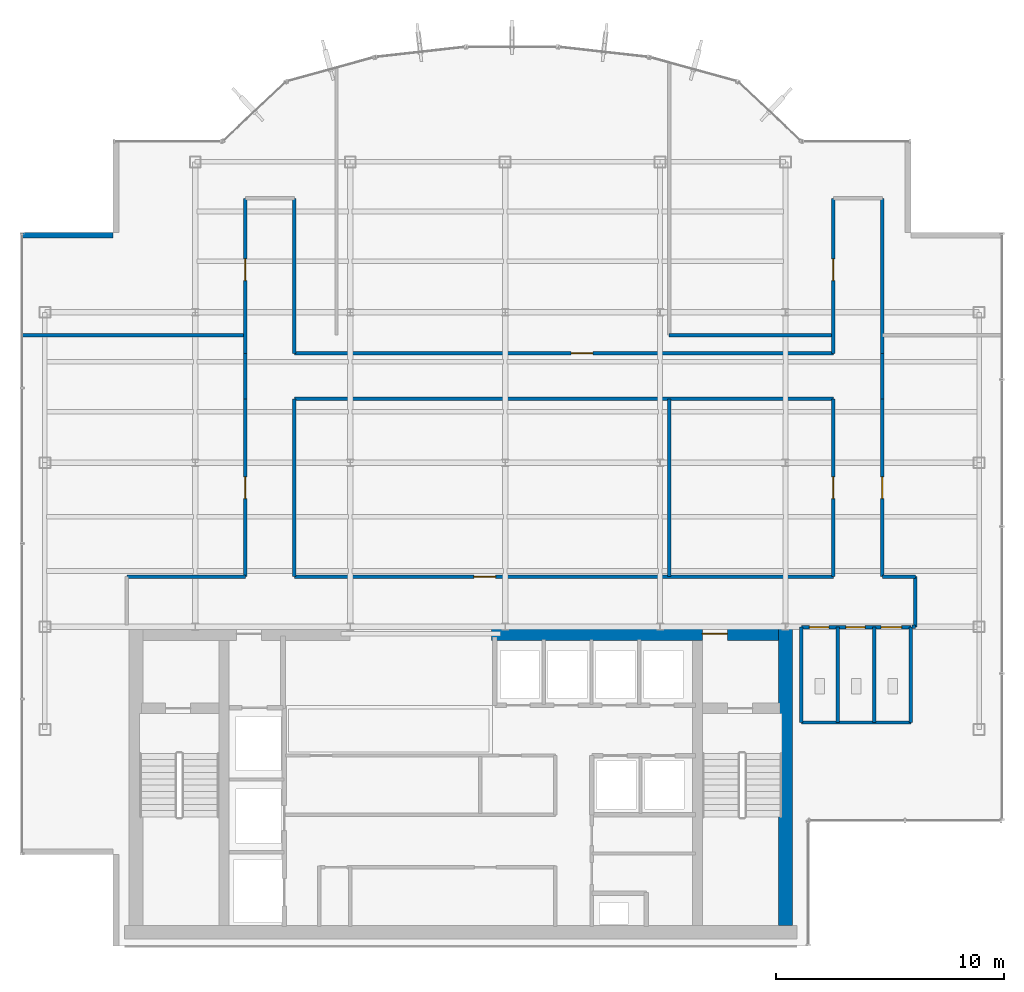
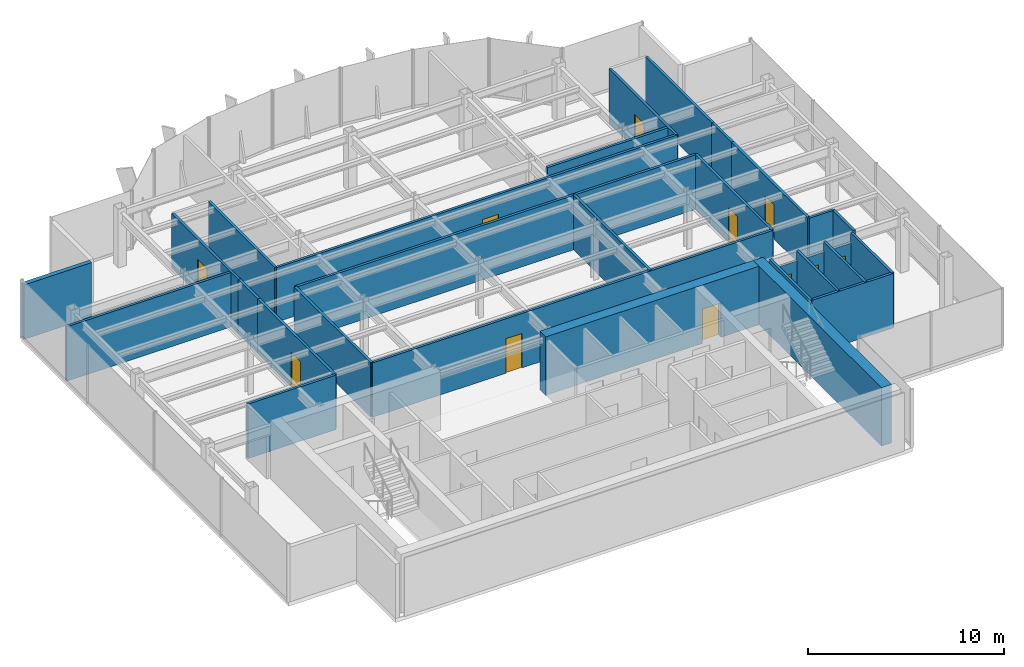
# One storey, part 18 of 22: 29 walls, 11 doors, 11 openings.
"""IFC4 building model written with IfcOpenShell, lengths in metres."""

import ifcopenshell
import ifcopenshell.guid

model = None  # the IFC model being written
_history = None  # IfcOwnerHistory: only IFC2X3 demands one
_inside = {}  # id of a spatial element -> (the spatial element, [elements in it])
_under = {}  # id of a project, library or spatial element -> (it, [spatial elements below it])
_declared = {}  # id of a project -> (the project, [libraries it declares])
_typed = {}  # id of a type object -> (the type object, [elements of that type])
_made_of = {}  # id of a material, layer set ... -> (it, [elements and type objects made of it])


def new_model(schema):
    """Start an empty IFC model of exactly this schema.

    Asked for "IFC4X3", IfcOpenShell would pick the latest addendum, in which some entities
    have other attributes; the version numbers below select the first issue.
    IFC2X3 requires an IfcOwnerHistory on every rooted entity: one is made here for all.
    """
    global model, _history
    if schema == "IFC4X3":
        model = ifcopenshell.file(schema_version=(4, 3, 0, 0))
    else:
        model = ifcopenshell.file(schema=schema)
    _inside.clear()
    _under.clear()
    _declared.clear()
    _typed.clear()
    _made_of.clear()
    _history = None
    if model.schema == "IFC2X3":
        org = make("IfcOrganization", Name="unknown")
        user = make(
            "IfcPersonAndOrganization",
            ThePerson=make("IfcPerson", FamilyName="unknown"),
            TheOrganization=org,
        )
        app = make(
            "IfcApplication",
            ApplicationDeveloper=org,
            Version="unknown",
            ApplicationFullName="unknown",
            ApplicationIdentifier="unknown",
        )
        _history = make(
            "IfcOwnerHistory",
            OwningUser=user,
            OwningApplication=app,
            ChangeAction="ADDED",
            CreationDate=0,
        )
    return model


def make(cls, **values):
    """One entity of the class cls with the attributes given. An attribute that is None is left unset."""
    return model.create_entity(
        cls, **{name: value for name, value in values.items() if value is not None}
    )


def rooted(cls, **values):
    """An entity with a GlobalId (a new one), such as an element, a storey or a relation."""
    return make(cls, GlobalId=ifcopenshell.guid.new(), OwnerHistory=_history, **values)


def si_unit(unit_type, name, prefix=None):
    """IfcSIUnit, for example si_unit("LENGTHUNIT", "METRE", prefix="MILLI")."""
    return make("IfcSIUnit", UnitType=unit_type, Prefix=prefix, Name=name)


def derived_unit(unit_type, elements):
    """IfcDerivedUnit: a product of units, each with its exponent."""
    return make(
        "IfcDerivedUnit",
        Elements=[
            make("IfcDerivedUnitElement", Unit=unit, Exponent=power)
            for unit, power in elements
        ],
        UnitType=unit_type,
    )


def assignment(units):
    """IfcUnitAssignment: the units of a project."""
    return None if units is None else make("IfcUnitAssignment", Units=units)


def point(xyz):
    """IfcCartesianPoint."""
    return None if xyz is None else make("IfcCartesianPoint", Coordinates=xyz)


def direction(xyz):
    """IfcDirection."""
    return None if xyz is None else make("IfcDirection", DirectionRatios=xyz)


def frame(location, z_axis=None, x_axis=None):
    """IfcAxis2Placement3D, a coordinate frame: its origin and axes. An axis left out is left unset."""
    return make(
        "IfcAxis2Placement3D",
        Location=point(location),
        Axis=direction(z_axis),
        RefDirection=direction(x_axis),
    )


def frame_2d(location, x_axis=None):
    """IfcAxis2Placement2D, a coordinate frame in the plane: its origin and x axis."""
    return make(
        "IfcAxis2Placement2D", Location=point(location), RefDirection=direction(x_axis)
    )


def origin():
    """The frame at (0, 0, 0) with its axes left unset."""
    return frame((0.0, 0.0, 0.0))


def place(relative_to, where):
    """IfcLocalPlacement: puts the frame where relative to a parent placement (None: the world)."""
    return make(
        "IfcLocalPlacement", PlacementRelTo=relative_to, RelativePlacement=where
    )


def context(
    kind, dimensions, precision=None, world=None, true_north=None, identifier=None
):
    """IfcGeometricRepresentationContext, for example the 3D "Model" context."""
    return make(
        "IfcGeometricRepresentationContext",
        ContextIdentifier=identifier,
        ContextType=kind,
        CoordinateSpaceDimension=dimensions,
        Precision=precision,
        WorldCoordinateSystem=world,
        TrueNorth=true_north,
    )


def subcontext(parent, identifier, kind, view, scale=None):
    """IfcGeometricRepresentationSubContext, for example "Body" below "Model"."""
    return make(
        "IfcGeometricRepresentationSubContext",
        ContextIdentifier=identifier,
        ContextType=kind,
        ParentContext=parent,
        TargetScale=scale,
        TargetView=view,
    )


def project(units=None, contexts=None):
    """IfcProject with its units and contexts."""
    return rooted(
        "IfcProject",
        Name="project",
        RepresentationContexts=contexts,
        UnitsInContext=assignment(units),
    )


def spatial(cls, under=None, at=None, **own):
    """A site, building, storey or space (cls), placed at a placement, below another one or the project."""
    s = rooted(cls, ObjectPlacement=at, **own)
    if under is not None:
        _under.setdefault(under.id(), (under, []))[1].append(s)
    return s


def profile(cls, at=None, kind="AREA", **sizes):
    """A parametric profile (cls). Its sizes go by their IFC names, for example OverallWidth=200.0."""
    return make(cls, ProfileType=kind, Position=at, **sizes)


def rectangle(**sizes):
    """IfcRectangleProfileDef."""
    return profile("IfcRectangleProfileDef", **sizes)


def extrude(swept, where, along, depth):
    """IfcExtrudedAreaSolid: the profile swept, set in the frame where, extruded along a direction by depth."""
    return make(
        "IfcExtrudedAreaSolid",
        SweptArea=swept,
        Position=where,
        ExtrudedDirection=direction(along),
        Depth=depth,
    )


def shape(context_of_items, identifier, shape_type, items):
    """IfcShapeRepresentation: the items that make up one representation, for example the "Body"."""
    return make(
        "IfcShapeRepresentation",
        ContextOfItems=context_of_items,
        RepresentationIdentifier=identifier,
        RepresentationType=shape_type,
        Items=items,
    )


def source(mapping_origin, context_of_items, identifier, shape_type, items):
    """IfcRepresentationMap: a shape defined once, which mapped items show again and again."""
    return make(
        "IfcRepresentationMap",
        MappingOrigin=mapping_origin,
        MappedRepresentation=shape(context_of_items, identifier, shape_type, items),
    )


def transform(
    local_origin,
    x_axis=None,
    y_axis=None,
    z_axis=None,
    scale=None,
    scale2=None,
    scale3=None,
    uniform=True,
):
    """IfcCartesianTransformationOperator3D, or its non-uniform kind. x_axis, y_axis, z_axis: its Axis1, 2, 3."""
    if uniform:
        return make(
            "IfcCartesianTransformationOperator3D",
            Axis1=direction(x_axis),
            Axis2=direction(y_axis),
            LocalOrigin=point(local_origin),
            Scale=scale,
            Axis3=direction(z_axis),
        )
    return make(
        "IfcCartesianTransformationOperator3DnonUniform",
        Axis1=direction(x_axis),
        Axis2=direction(y_axis),
        LocalOrigin=point(local_origin),
        Scale=scale,
        Axis3=direction(z_axis),
        Scale2=scale2,
        Scale3=scale3,
    )


def mapped(mapping_source, mapping_target):
    """IfcMappedItem: shows the shape of a source again, moved by a transform."""
    return make(
        "IfcMappedItem", MappingSource=mapping_source, MappingTarget=mapping_target
    )


def material(Name=None, Category=None):
    """IfcMaterial."""
    return make("IfcMaterial", Name=Name, Category=Category)


def layer(
    of_material, thickness, ventilated=None, Name=None, Category=None, Priority=None
):
    """IfcMaterialLayer: one layer of a wall or slab, of a material (None: an air gap)."""
    return make(
        "IfcMaterialLayer",
        Material=of_material,
        LayerThickness=thickness,
        IsVentilated=ventilated,
        Name=Name,
        Category=Category,
        Priority=Priority,
    )


def layer_set(layers, Name=None):
    """IfcMaterialLayerSet."""
    return make("IfcMaterialLayerSet", MaterialLayers=layers, LayerSetName=Name)


def made_of(thing, what):
    """Note that an element or type object is made of a material, layer set ...; save() writes the relation."""
    if what is not None:
        _made_of.setdefault(what.id(), (what, []))[1].append(thing)
    return thing


def type_object(cls, material=None, **own):
    """A type object (cls), such as IfcWallType, which elements share."""
    return made_of(rooted(cls, **own), material)


def element(
    cls,
    number,
    at=None,
    inside=None,
    cuts=None,
    type_object=None,
    material=None,
    context=None,
    identifier="Body",
    shape_type=None,
    held_by="IfcProductDefinitionShape",
    body=None,
    shapes=None,
    **own,
):
    """One element of the class cls, such as IfcWall. Its Tag is "e" and its number.

    at: its placement. inside: the storey or other place that contains it. cuts: it is an
    opening in that element (IfcRelVoidsElement). A single representation is given by context,
    identifier, shape_type and body (its items); several are given by shapes. held_by: the class
    of the entity that holds the representations. save() writes the other relations.
    """
    e = rooted(cls, Tag="e%d" % number, ObjectPlacement=at, **own)
    if body is not None:
        shapes = [shape(context, identifier, shape_type, body)]
    if shapes is not None:
        e.Representation = make(held_by, Representations=shapes)
    if inside is not None:
        _inside.setdefault(inside.id(), (inside, []))[1].append(e)
    if cuts is not None:
        rooted(
            "IfcRelVoidsElement", RelatingBuildingElement=cuts, RelatedOpeningElement=e
        )
    if type_object is not None:
        _typed.setdefault(type_object.id(), (type_object, []))[1].append(e)
    return made_of(e, material)


def fill(opening, filler):
    """IfcRelFillsElement: the door or window that sits in an opening."""
    return rooted(
        "IfcRelFillsElement",
        RelatingOpeningElement=opening,
        RelatedBuildingElement=filler,
    )


def aggregate(whole, parts):
    """IfcRelAggregates: a whole, such as a stair, and the parts it consists of."""
    return rooted("IfcRelAggregates", RelatingObject=whole, RelatedObjects=parts)


def save(model, path):
    """Write the relations noted so far, then the file.

    IfcRelAggregates (storeys below a building ...), IfcRelContainedInSpatialStructure (elements
    in a storey), IfcRelDefinesByType, IfcRelAssociatesMaterial and IfcRelDeclares: one each for
    every whole, place, type object, material and project.
    """
    for whole, parts in _under.values():
        aggregate(whole, parts)
    for where, things in _inside.values():
        rooted(
            "IfcRelContainedInSpatialStructure",
            RelatedElements=things,
            RelatingStructure=where,
        )
    for kind, things in _typed.values():
        rooted("IfcRelDefinesByType", RelatedObjects=things, RelatingType=kind)
    for what, things in _made_of.values():
        rooted("IfcRelAssociatesMaterial", RelatedObjects=things, RelatingMaterial=what)
    for by, libraries in _declared.values():
        rooted("IfcRelDeclares", RelatingContext=by, RelatedDefinitions=libraries)
    model.write(path)


model = new_model("IFC4")

# Units and contexts
model_context = context("Model", 3, precision=1e-05, world=origin(), true_north=direction((0.0, 1.0)))
body_context = subcontext(model_context, "Body", "Model", "MODEL_VIEW")
ifc_project = project(units=[si_unit("LENGTHUNIT", "METRE"), si_unit("AREAUNIT", "SQUARE_METRE"), si_unit("VOLUMEUNIT", "CUBIC_METRE"), si_unit("PLANEANGLEUNIT", "RADIAN"), si_unit("MASSUNIT", "GRAM", prefix="KILO"), derived_unit("THERMALTRANSMITTANCEUNIT", [(si_unit("POWERUNIT", "WATT"), 1), (si_unit("LENGTHUNIT", "METRE"), -2), (si_unit("THERMODYNAMICTEMPERATUREUNIT", "KELVIN"), -1)])], contexts=[model_context])

# Site, building, storey
site_placement = place(None, origin())
site = spatial("IfcSite", under=ifc_project, at=site_placement, CompositionType="ELEMENT")
building_placement = place(site_placement, origin())
building = spatial("IfcBuilding", under=site, at=building_placement, Name="Skarnbrae Concourse Arena and Tower", CompositionType="ELEMENT")
storey_placement = place(building_placement, frame((0.0, 0.0, 244.199951171875)))
storey = spatial("IfcBuildingStorey", under=building, at=storey_placement, Name="L63", CompositionType="ELEMENT", Elevation=244.199951171875)

# Wall
ifc_material_1 = material(Name="Concrete 50 MPa (C50/60)", Category="concrete")
ifc_layer_1 = layer(ifc_material_1, 0.60009765625)
ifc_layer_set_1 = layer_set([ifc_layer_1], Name="Concrete 50 MPa (C50/60)")
wall_type_1 = type_object("IfcWallType", Name="WALL-CORE-600-C50", PredefinedType="SHEAR", material=ifc_layer_set_1)
shared_shape_1 = source(origin(), body_context, "Body", "SweptSolid", [
    extrude(rectangle(XDim=13.10009765625, YDim=0.60009765625, at=frame_2d((6.550048828125, 0.0))), origin(), (0.0, 0.0, 1.0), 3.650146484375),
])
wall_1_placement = place(storey_placement, frame((33.5, 0.89990234375, 0.0), z_axis=(0.0, 0.0, 1.0), x_axis=(0.0, 1.0, 0.0)))
element("IfcWall", 1, at=wall_1_placement, inside=storey, type_object=wall_type_1, Name="L63 Rear core shear wall CW-E", PredefinedType="SHEAR", context=body_context, shape_type="MappedRepresentation", body=[
    mapped(shared_shape_1, transform((0.0, 0.0, 0.0))),
])

# Wall, opening, door
shared_shape_2 = source(origin(), body_context, "Body", "SweptSolid", [
    extrude(rectangle(XDim=12.599853515625, YDim=0.60009765625, at=frame_2d((6.2998046875, 0.0))), origin(), (0.0, 0.0, 1.0), 3.650146484375),
])
wall_2_placement = place(storey_placement, frame((20.60009765625, 13.699951171875, 0.0), z_axis=(0.0, 0.0, 1.0), x_axis=(1.0, 0.0, 0.0)))
wall_2 = element("IfcWall", 2, at=wall_2_placement, inside=storey, type_object=wall_type_1, Name="L63 Rear core shear wall CW-NE", PredefinedType="SHEAR", context=body_context, shape_type="MappedRepresentation", body=[
    mapped(shared_shape_2, transform((0.0, 0.0, 0.0))),
])
opening_1_placement = place(wall_2_placement, frame((9.25, 0.0, 0.0)))
opening_1 = element("IfcOpeningElement", 3, at=opening_1_placement, cuts=wall_2, Name="Opening DT-03", PredefinedType="OPENING", context=body_context, shape_type="SweptSolid", body=[
    extrude(rectangle(XDim=1.10009765625, YDim=2.14990234375, at=frame_2d((0.550048828125, 1.074951171875))), frame((0.0, 0.31005859375, 0.0), z_axis=(0.0, -1.0, 0.0), x_axis=(1.0, 0.0, 0.0)), (0.0, 0.0, 1.0), 0.6201171875),
])
ifc_material_2 = material(Name="Steel CSA G40.21 350W", Category="steel")
door_type_1 = type_object("IfcDoorType", Name="DOOR-FIRE-1100-90M", OperationType="NOTDEFINED", PredefinedType="DOOR", material=ifc_material_2)
shared_shape_3 = source(origin(), body_context, "Body", "SweptSolid", [
    extrude(rectangle(XDim=1.10009765625, YDim=2.14990234375, at=frame_2d((0.550048828125, 1.074951171875))), frame((0.0, 0.02490234375, 0.0), z_axis=(0.0, -1.0, 0.0), x_axis=(1.0, 0.0, 0.0)), (0.0, 0.0, 1.0), 0.050048828125),
])
door_1_placement = place(opening_1_placement, origin())
door_1 = element("IfcDoor", 4, at=door_1_placement, inside=storey, type_object=door_type_1, Name="D-1896 Stair ST-2 Vestibule Door", OperationType="SINGLE_SWING_LEFT", OverallHeight=2.14990234375, OverallWidth=1.10009765625, PredefinedType="DOOR", context=body_context, shape_type="MappedRepresentation", body=[
    mapped(shared_shape_3, transform((0.0, 0.0, 0.0))),
])
fill(opening_1, door_1)

# Walls
ifc_material_3 = material(Name="Precast concrete 40 MPa (C40/50)", Category="concrete")
ifc_layer_2 = layer(ifc_material_3, 0.25)
ifc_layer_set_2 = layer_set([ifc_layer_2], Name="Precast concrete 40 MPa (C40/50)")
wall_type_2 = type_object("IfcWallType", Name="WALL-EXT-SPANDREL-250", PredefinedType="STANDARD", material=ifc_layer_set_2)
shared_shape_4 = source(origin(), body_context, "Body", "SweptSolid", [
    extrude(rectangle(XDim=4.0, YDim=0.25, at=frame_2d((2.0, 0.0))), origin(), (0.0, 0.0, 1.0), 3.400146484375),
])
wall_3_placement = place(storey_placement, frame((4.0, 31.175048828125, 0.0), z_axis=(0.0, 0.0, 1.0), x_axis=(-1.0, 0.0, 0.0)))
element("IfcWall", 5, at=wall_3_placement, inside=storey, type_object=wall_type_2, Name="L63 Notched corner insulated return wall 17", PredefinedType="STANDARD", context=body_context, shape_type="MappedRepresentation", body=[
    mapped(shared_shape_4, transform((0.0, 0.0, 0.0))),
])
ifc_material_4 = material(Name="Gypsum board on cold-formed steel studs", Category="steel")
ifc_layer_3 = layer(ifc_material_4, 0.14990234375)
ifc_layer_set_3 = layer_set([ifc_layer_3], Name="Gypsum board on cold-formed steel studs")
wall_type_3 = type_object("IfcWallType", Name="WALL-PART-150", PredefinedType="PARTITIONING", material=ifc_layer_set_3)
shared_shape_5 = source(origin(), body_context, "Body", "SweptSolid", [
    extrude(rectangle(XDim=4.800048828125, YDim=0.14990234375, at=frame_2d((2.39990234375, 0.0))), origin(), (0.0, 0.0, 1.0), 3.400146484375),
])
wall_4_placement = place(storey_placement, frame((34.199951171875, 9.800048828125, 0.0), z_axis=(0.0, 0.0, 1.0), x_axis=(1.0, 0.0, 0.0)))
element("IfcWall", 6, at=wall_4_placement, inside=storey, type_object=wall_type_3, Name="L63 Interior partition wall W-L63-WC-S", PredefinedType="PARTITIONING", context=body_context, shape_type="MappedRepresentation", body=[
    mapped(shared_shape_5, transform((0.0, 0.0, 0.0))),
])
shared_shape_6 = source(origin(), body_context, "Body", "SweptSolid", [
    extrude(rectangle(XDim=4.179931640625, YDim=0.14990234375, at=frame_2d((2.08984375, 0.0))), origin(), (0.0, 0.0, 1.0), 3.400146484375),
])
for number, where, z_axis, x_axis, name in (
    (7, (39.0, 9.800048828125, 0.0), (0.0, 0.0, 1.0), (0.0, 1.0, 0.0), "L63 Interior partition wall W-L63-WC-E"),
    (8, (34.199951171875, 9.800048828125, 0.0), (0.0, 0.0, 1.0), (0.0, 1.0, 0.0), "L63 Interior partition wall W-L63-WC-W"),
    (9, (35.800048828125, 9.800048828125, 0.0), (0.0, 0.0, 1.0), (0.0, 1.0, 0.0), "L63 Interior partition wall W-L63-WC-D1"),
    (10, (37.39990234375, 9.800048828125, 0.0), (0.0, 0.0, 1.0), (0.0, 1.0, 0.0), "L63 Interior partition wall W-L63-WC-D2"),
):
    element("IfcWall", number, at=place(storey_placement, frame(where, z_axis=z_axis, x_axis=x_axis)), inside=storey, type_object=wall_type_3, Name=name, PredefinedType="PARTITIONING", context=body_context, shape_type="MappedRepresentation", body=[
        mapped(shared_shape_6, transform((0.0, 0.0, 0.0))),
    ])
ifc_layer_4 = layer(ifc_material_4, 0.14990234375)
ifc_layer_set_4 = layer_set([ifc_layer_4], Name="Gypsum board on cold-formed steel studs")
wall_type_4 = type_object("IfcWallType", Name="WALL-PART-150-1HR", PredefinedType="PARTITIONING", material=ifc_layer_set_4)
shared_shape_7 = source(origin(), body_context, "Body", "SweptSolid", [
    extrude(rectangle(XDim=2.199951171875, YDim=0.14990234375, at=frame_2d((1.10009765625, 0.0))), origin(), (0.0, 0.0, 1.0), 3.400146484375),
])
wall_5_placement = place(storey_placement, frame((39.199951171875, 16.199951171875, 0.0), z_axis=(0.0, 0.0, 1.0), x_axis=(0.0, -1.0, 0.0)))
element("IfcWall", 11, at=wall_5_placement, inside=storey, type_object=wall_type_4, Name="L63 Interior partition wall W-L63-COR-15", PredefinedType="PARTITIONING", context=body_context, shape_type="MappedRepresentation", body=[
    mapped(shared_shape_7, transform((0.0, 0.0, 0.0))),
])
shared_shape_8 = source(origin(), body_context, "Body", "SweptSolid", [
    extrude(rectangle(XDim=9.780029296875, YDim=0.14990234375, at=frame_2d((4.89013671875, 0.0))), origin(), (0.0, 0.0, 1.0), 3.400146484375),
])
wall_6_placement = place(storey_placement, frame((0.02001953125, 26.800048828125, 0.0), z_axis=(0.0, 0.0, 1.0), x_axis=(1.0, 0.0, 0.0)))
element("IfcWall", 12, at=wall_6_placement, inside=storey, type_object=wall_type_3, Name="L63 Interior partition wall W-L63-DEM-21", PredefinedType="PARTITIONING", context=body_context, shape_type="MappedRepresentation", body=[
    mapped(shared_shape_8, transform((0.0, 0.0, 0.0))),
])
shared_shape_9 = source(origin(), body_context, "Body", "SweptSolid", [
    extrude(rectangle(XDim=5.199951171875, YDim=0.14990234375, at=frame_2d((2.60009765625, 0.0))), origin(), (0.0, 0.0, 1.0), 3.400146484375),
])
wall_7_placement = place(storey_placement, frame((4.60009765625, 16.199951171875, 0.0), z_axis=(0.0, 0.0, 1.0), x_axis=(1.0, 0.0, 0.0)))
element("IfcWall", 13, at=wall_7_placement, inside=storey, type_object=wall_type_4, Name="L63 Interior partition wall W-L63-COR-02", PredefinedType="PARTITIONING", context=body_context, shape_type="MappedRepresentation", body=[
    mapped(shared_shape_9, transform((0.0, 0.0, 0.0))),
])

# Wall, opening, door
shared_shape_10 = source(origin(), body_context, "Body", "SweptSolid", [
    extrude(rectangle(XDim=7.800048828125, YDim=0.14990234375, at=frame_2d((3.89990234375, 0.0))), origin(), (0.0, 0.0, 1.0), 3.400146484375),
])
wall_8_placement = place(storey_placement, frame((9.800048828125, 16.199951171875, 0.0), z_axis=(0.0, 0.0, 1.0), x_axis=(0.0, 1.0, 0.0)))
wall_8 = element("IfcWall", 14, at=wall_8_placement, inside=storey, type_object=wall_type_4, Name="L63 Interior partition wall W-L63-COR-03", PredefinedType="PARTITIONING", context=body_context, shape_type="MappedRepresentation", body=[
    mapped(shared_shape_10, transform((0.0, 0.0, 0.0))),
])
opening_2_placement = place(wall_8_placement, frame((3.425048828125, 0.0, 0.0)))
opening_2 = element("IfcOpeningElement", 15, at=opening_2_placement, cuts=wall_8, Name="Opening DT-04", PredefinedType="OPENING", context=body_context, shape_type="SweptSolid", body=[
    extrude(rectangle(XDim=0.949951171875, YDim=2.14990234375, at=frame_2d((0.47509765625, 1.074951171875))), frame((0.0, 0.0849609375, 0.0), z_axis=(0.0, -1.0, 0.0), x_axis=(1.0, 0.0, 0.0)), (0.0, 0.0, 1.0), 0.169921875),
])
door_type_2 = type_object("IfcDoorType", Name="DOOR-INT-950-45M", OperationType="NOTDEFINED", PredefinedType="DOOR", material=ifc_material_2)
shared_shape_11 = source(origin(), body_context, "Body", "SweptSolid", [
    extrude(rectangle(XDim=0.949951171875, YDim=2.14990234375, at=frame_2d((0.47509765625, 1.074951171875))), frame((0.0, 0.02490234375, 0.0), z_axis=(0.0, -1.0, 0.0), x_axis=(1.0, 0.0, 0.0)), (0.0, 0.0, 1.0), 0.050048828125),
])
door_2_placement = place(opening_2_placement, origin())
door_2 = element("IfcDoor", 16, at=door_2_placement, inside=storey, type_object=door_type_2, Name="D-1915 L63 Suite Door 01", OperationType="SINGLE_SWING_LEFT", OverallHeight=2.14990234375, OverallWidth=0.949951171875, PredefinedType="DOOR", context=body_context, shape_type="MappedRepresentation", body=[
    mapped(shared_shape_11, transform((0.0, 0.0, 0.0))),
])
fill(opening_2, door_2)

wall_9_placement = place(storey_placement, frame((37.75, 24.0, 0.0), z_axis=(0.0, 0.0, 1.0), x_axis=(0.0, -1.0, 0.0)))
wall_9 = element("IfcWall", 17, at=wall_9_placement, inside=storey, type_object=wall_type_4, Name="L63 Interior partition wall W-L63-COR-13", PredefinedType="PARTITIONING", context=body_context, shape_type="MappedRepresentation", body=[
    mapped(shared_shape_10, transform((0.0, 0.0, 0.0))),
])
opening_3_placement = place(wall_9_placement, frame((3.425048828125, 0.0, 0.0)))
opening_3 = element("IfcOpeningElement", 18, at=opening_3_placement, cuts=wall_9, Name="Opening DT-04", PredefinedType="OPENING", context=body_context, shape_type="SweptSolid", body=[
    extrude(rectangle(XDim=0.949951171875, YDim=2.14990234375, at=frame_2d((0.47509765625, 1.074951171875))), frame((0.0, 0.0849609375, 0.0), z_axis=(0.0, -1.0, 0.0), x_axis=(1.0, 0.0, 0.0)), (0.0, 0.0, 1.0), 0.169921875),
])
door_3_placement = place(opening_3_placement, origin())
door_3 = element("IfcDoor", 19, at=door_3_placement, inside=storey, type_object=door_type_2, Name="D-1921 L63 Suite Door 07", OperationType="SINGLE_SWING_LEFT", OverallHeight=2.14990234375, OverallWidth=0.949951171875, PredefinedType="DOOR", context=body_context, shape_type="MappedRepresentation", body=[
    mapped(shared_shape_11, transform((0.0, 0.0, 0.0))),
])
fill(opening_3, door_3)

wall_10_placement = place(storey_placement, frame((35.60009765625, 16.199951171875, 0.0), z_axis=(0.0, 0.0, 1.0), x_axis=(0.0, 1.0, 0.0)))
wall_10 = element("IfcWall", 20, at=wall_10_placement, inside=storey, type_object=wall_type_4, Name="L63 Interior partition wall W-L63-COR-18", PredefinedType="PARTITIONING", context=body_context, shape_type="MappedRepresentation", body=[
    mapped(shared_shape_10, transform((0.0, 0.0, 0.0))),
])
opening_4_placement = place(wall_10_placement, frame((3.425048828125, 0.0, 0.0)))
opening_4 = element("IfcOpeningElement", 21, at=opening_4_placement, cuts=wall_10, Name="Opening DT-04", PredefinedType="OPENING", context=body_context, shape_type="SweptSolid", body=[
    extrude(rectangle(XDim=0.949951171875, YDim=2.14990234375, at=frame_2d((0.47509765625, 1.074951171875))), frame((0.0, 0.0849609375, 0.0), z_axis=(0.0, -1.0, 0.0), x_axis=(1.0, 0.0, 0.0)), (0.0, 0.0, 1.0), 0.169921875),
])
door_4_placement = place(opening_4_placement, origin())
door_4 = element("IfcDoor", 22, at=door_4_placement, inside=storey, type_object=door_type_2, Name="D-1919 L63 Suite Door 05", OperationType="SINGLE_SWING_LEFT", OverallHeight=2.14990234375, OverallWidth=0.949951171875, PredefinedType="DOOR", context=body_context, shape_type="MappedRepresentation", body=[
    mapped(shared_shape_11, transform((0.0, 0.0, 0.0))),
])
fill(opening_4, door_4)

# Walls
wall_11_placement = place(storey_placement, frame((11.949951171875, 24.0, 0.0), z_axis=(0.0, 0.0, 1.0), x_axis=(0.0, -1.0, 0.0)))
element("IfcWall", 23, at=wall_11_placement, inside=storey, type_object=wall_type_4, Name="L63 Interior partition wall W-L63-COR-20", PredefinedType="PARTITIONING", context=body_context, shape_type="MappedRepresentation", body=[
    mapped(shared_shape_10, transform((0.0, 0.0, 0.0))),
])
wall_12_placement = place(storey_placement, frame((28.39990234375, 24.0, 0.0), z_axis=(0.0, 0.0, 1.0), x_axis=(0.0, -1.0, 0.0)))
element("IfcWall", 24, at=wall_12_placement, inside=storey, type_object=wall_type_3, Name="L63 Interior partition wall W-L63-DEM-23", PredefinedType="PARTITIONING", context=body_context, shape_type="MappedRepresentation", body=[
    mapped(shared_shape_10, transform((0.0, 0.0, 0.0))),
])

# Wall, openings, doors
shared_shape_12 = source(origin(), body_context, "Body", "SweptSolid", [
    extrude(rectangle(XDim=4.800048828125, YDim=0.14990234375, at=frame_2d((2.39990234375, 0.0))), origin(), (0.0, 0.0, 1.0), 2.787109375),
])
wall_13_placement = place(storey_placement, frame((34.199951171875, 13.97998046875, 0.0), z_axis=(0.0, 0.0, 1.0), x_axis=(1.0, 0.0, 0.0)))
wall_13 = element("IfcWall", 25, at=wall_13_placement, inside=storey, type_object=wall_type_3, Name="L63 Interior partition wall W-L63-WC-N", PredefinedType="PARTITIONING", context=body_context, shape_type="MappedRepresentation", body=[
    mapped(shared_shape_12, transform((0.0, 0.0, 0.0))),
])
opening_5_placement = place(wall_13_placement, frame((0.35009765625, 0.0, 0.0)))
opening_5 = element("IfcOpeningElement", 26, at=opening_5_placement, cuts=wall_13, Name="Opening DT-06", PredefinedType="OPENING", context=body_context, shape_type="SweptSolid", body=[
    extrude(rectangle(XDim=0.85009765625, YDim=2.10009765625, at=frame_2d((0.425048828125, 1.050048828125))), frame((0.0, 0.0849609375, 0.0), z_axis=(0.0, -1.0, 0.0), x_axis=(1.0, 0.0, 0.0)), (0.0, 0.0, 1.0), 0.169921875),
])
opening_6_placement = place(wall_13_placement, frame((1.949951171875, 0.0, 0.0)))
opening_6 = element("IfcOpeningElement", 27, at=opening_6_placement, cuts=wall_13, Name="Opening DT-06", PredefinedType="OPENING", context=body_context, shape_type="SweptSolid", body=[
    extrude(rectangle(XDim=0.85009765625, YDim=2.10009765625, at=frame_2d((0.425048828125, 1.050048828125))), frame((0.0, 0.0849609375, 0.0), z_axis=(0.0, -1.0, 0.0), x_axis=(1.0, 0.0, 0.0)), (0.0, 0.0, 1.0), 0.169921875),
])
opening_7_placement = place(wall_13_placement, frame((3.5, 0.0, 0.0)))
opening_7 = element("IfcOpeningElement", 28, at=opening_7_placement, cuts=wall_13, Name="Opening DT-05", PredefinedType="OPENING", context=body_context, shape_type="SweptSolid", body=[
    extrude(rectangle(XDim=0.89990234375, YDim=2.10009765625, at=frame_2d((0.449951171875, 1.050048828125))), frame((0.0, 0.0849609375, 0.0), z_axis=(0.0, -1.0, 0.0), x_axis=(1.0, 0.0, 0.0)), (0.0, 0.0, 1.0), 0.169921875),
])
ifc_material_5 = material(Name="Architectural oak veneer timber leaf", Category="wood")
door_type_3 = type_object("IfcDoorType", Name="DOOR-INT-850", OperationType="NOTDEFINED", PredefinedType="DOOR", material=ifc_material_5)
shared_shape_13 = source(origin(), body_context, "Body", "SweptSolid", [
    extrude(rectangle(XDim=0.85009765625, YDim=2.10009765625, at=frame_2d((0.425048828125, 1.050048828125))), frame((0.0, 0.02490234375, 0.0), z_axis=(0.0, -1.0, 0.0), x_axis=(1.0, 0.0, 0.0)), (0.0, 0.0, 1.0), 0.050048828125),
])
door_5_placement = place(opening_5_placement, frame((0.85009765625, 0.0, 0.0), z_axis=(0.0, 0.0, 1.0), x_axis=(-1.0, 0.0, 0.0)))
door_5 = element("IfcDoor", 29, at=door_5_placement, inside=storey, type_object=door_type_3, Name="D-1912 Male Washroom Door", OperationType="SINGLE_SWING_LEFT", OverallHeight=2.10009765625, OverallWidth=0.85009765625, PredefinedType="DOOR", context=body_context, shape_type="MappedRepresentation", body=[
    mapped(shared_shape_13, transform((0.0, 0.0, 0.0))),
])
fill(opening_5, door_5)
door_6_placement = place(opening_6_placement, frame((0.85009765625, 0.0, 0.0), z_axis=(0.0, 0.0, 1.0), x_axis=(-1.0, 0.0, 0.0)))
door_6 = element("IfcDoor", 30, at=door_6_placement, inside=storey, type_object=door_type_3, Name="D-1913 Female Washroom Door", OperationType="SINGLE_SWING_RIGHT", OverallHeight=2.10009765625, OverallWidth=0.85009765625, PredefinedType="DOOR", context=body_context, shape_type="MappedRepresentation", body=[
    mapped(shared_shape_13, transform((0.0, 0.0, 0.0))),
])
fill(opening_6, door_6)
door_type_4 = type_object("IfcDoorType", Name="DOOR-INT-900", OperationType="NOTDEFINED", PredefinedType="DOOR", material=ifc_material_5)
shared_shape_14 = source(origin(), body_context, "Body", "SweptSolid", [
    extrude(rectangle(XDim=0.89990234375, YDim=2.10009765625, at=frame_2d((0.449951171875, 1.050048828125))), frame((0.0, 0.02490234375, 0.0), z_axis=(0.0, -1.0, 0.0), x_axis=(1.0, 0.0, 0.0)), (0.0, 0.0, 1.0), 0.050048828125),
])
door_7_placement = place(opening_7_placement, frame((0.89990234375, 0.0, 0.0), z_axis=(0.0, 0.0, 1.0), x_axis=(-1.0, 0.0, 0.0)))
door_7 = element("IfcDoor", 31, at=door_7_placement, inside=storey, type_object=door_type_4, Name="D-1914 Accessible WC Door", OperationType="SINGLE_SWING_LEFT", OverallHeight=2.10009765625, OverallWidth=0.89990234375, PredefinedType="DOOR", context=body_context, shape_type="MappedRepresentation", body=[
    mapped(shared_shape_14, transform((0.0, 0.0, 0.0))),
])
fill(opening_7, door_7)

# Wall
shared_shape_15 = source(origin(), body_context, "Body", "SweptSolid", [
    extrude(rectangle(XDim=0.14990234375, YDim=0.14990234375, at=frame_2d((0.074951171875, 0.0))), origin(), (0.0, 0.0, 1.0), 3.400146484375),
])
wall_14_placement = place(storey_placement, frame((39.199951171875, 14.0, 0.0), z_axis=(0.0, 0.0, 1.0), x_axis=(-1.0, 0.0, 0.0)))
element("IfcWall", 32, at=wall_14_placement, inside=storey, type_object=wall_type_4, Name="L63 Interior partition wall W-L63-COR-16", PredefinedType="PARTITIONING", context=body_context, shape_type="MappedRepresentation", body=[
    mapped(shared_shape_15, transform((0.0, 0.0, 0.0))),
])

# Wall, opening, door
shared_shape_16 = source(origin(), body_context, "Body", "SweptSolid", [
    extrude(rectangle(XDim=6.800048828125, YDim=0.14990234375, at=frame_2d((3.39990234375, 0.0))), origin(), (0.0, 0.0, 1.0), 3.400146484375),
])
wall_15_placement = place(storey_placement, frame((9.800048828125, 26.0, 0.0), z_axis=(0.0, 0.0, 1.0), x_axis=(0.0, 1.0, 0.0)))
wall_15 = element("IfcWall", 33, at=wall_15_placement, inside=storey, type_object=wall_type_4, Name="L63 Interior partition wall W-L63-COR-05", PredefinedType="PARTITIONING", context=body_context, shape_type="MappedRepresentation", body=[
    mapped(shared_shape_16, transform((0.0, 0.0, 0.0))),
])
opening_8_placement = place(wall_15_placement, frame((3.195068359375, 0.0, 0.0)))
opening_8 = element("IfcOpeningElement", 34, at=opening_8_placement, cuts=wall_15, Name="Opening DT-04", PredefinedType="OPENING", context=body_context, shape_type="SweptSolid", body=[
    extrude(rectangle(XDim=0.949951171875, YDim=2.14990234375, at=frame_2d((0.47509765625, 1.074951171875))), frame((0.0, 0.0849609375, 0.0), z_axis=(0.0, -1.0, 0.0), x_axis=(1.0, 0.0, 0.0)), (0.0, 0.0, 1.0), 0.169921875),
])
door_8_placement = place(opening_8_placement, origin())
door_8 = element("IfcDoor", 35, at=door_8_placement, inside=storey, type_object=door_type_2, Name="D-1916 L63 Suite Door 02", OperationType="SINGLE_SWING_RIGHT", OverallHeight=2.14990234375, OverallWidth=0.949951171875, PredefinedType="DOOR", context=body_context, shape_type="MappedRepresentation", body=[
    mapped(shared_shape_11, transform((0.0, 0.0, 0.0))),
])
fill(opening_8, door_8)

# Wall
wall_16_placement = place(storey_placement, frame((11.949951171875, 32.800048828125, 0.0), z_axis=(0.0, 0.0, 1.0), x_axis=(0.0, -1.0, 0.0)))
element("IfcWall", 36, at=wall_16_placement, inside=storey, type_object=wall_type_4, Name="L63 Interior partition wall W-L63-COR-07", PredefinedType="PARTITIONING", context=body_context, shape_type="MappedRepresentation", body=[
    mapped(shared_shape_16, transform((0.0, 0.0, 0.0))),
])

# Wall, opening, door
wall_17_placement = place(storey_placement, frame((35.60009765625, 26.0, 0.0), z_axis=(0.0, 0.0, 1.0), x_axis=(0.0, 1.0, 0.0)))
wall_17 = element("IfcWall", 37, at=wall_17_placement, inside=storey, type_object=wall_type_4, Name="L63 Interior partition wall W-L63-COR-09", PredefinedType="PARTITIONING", context=body_context, shape_type="MappedRepresentation", body=[
    mapped(shared_shape_16, transform((0.0, 0.0, 0.0))),
])
opening_9_placement = place(wall_17_placement, frame((3.195068359375, 0.0, 0.0)))
opening_9 = element("IfcOpeningElement", 38, at=opening_9_placement, cuts=wall_17, Name="Opening DT-04", PredefinedType="OPENING", context=body_context, shape_type="SweptSolid", body=[
    extrude(rectangle(XDim=0.949951171875, YDim=2.14990234375, at=frame_2d((0.47509765625, 1.074951171875))), frame((0.0, 0.0849609375, 0.0), z_axis=(0.0, -1.0, 0.0), x_axis=(1.0, 0.0, 0.0)), (0.0, 0.0, 1.0), 0.169921875),
])
door_9_placement = place(opening_9_placement, origin())
door_9 = element("IfcDoor", 39, at=door_9_placement, inside=storey, type_object=door_type_2, Name="D-1920 L63 Suite Door 06", OperationType="SINGLE_SWING_RIGHT", OverallHeight=2.14990234375, OverallWidth=0.949951171875, PredefinedType="DOOR", context=body_context, shape_type="MappedRepresentation", body=[
    mapped(shared_shape_11, transform((0.0, 0.0, 0.0))),
])
fill(opening_9, door_9)

# Walls
wall_18_placement = place(storey_placement, frame((37.75, 32.800048828125, 0.0), z_axis=(0.0, 0.0, 1.0), x_axis=(0.0, -1.0, 0.0)))
element("IfcWall", 40, at=wall_18_placement, inside=storey, type_object=wall_type_4, Name="L63 Interior partition wall W-L63-COR-11", PredefinedType="PARTITIONING", context=body_context, shape_type="MappedRepresentation", body=[
    mapped(shared_shape_16, transform((0.0, 0.0, 0.0))),
])
shared_shape_17 = source(origin(), body_context, "Body", "SweptSolid", [
    extrude(rectangle(XDim=2.0, YDim=0.14990234375, at=frame_2d((1.0, 0.0))), origin(), (0.0, 0.0, 1.0), 3.400146484375),
])
for number, where, z_axis, x_axis, name in (
    (41, (9.800048828125, 24.0, 0.0), (0.0, 0.0, 1.0), (0.0, 1.0, 0.0), "L63 Interior partition wall W-L63-COR-04"),
    (42, (37.75, 26.0, 0.0), (0.0, 0.0, 1.0), (0.0, -1.0, 0.0), "L63 Interior partition wall W-L63-COR-12"),
):
    element("IfcWall", number, at=place(storey_placement, frame(where, z_axis=z_axis, x_axis=x_axis)), inside=storey, type_object=wall_type_4, Name=name, PredefinedType="PARTITIONING", context=body_context, shape_type="MappedRepresentation", body=[
        mapped(shared_shape_17, transform((0.0, 0.0, 0.0))),
    ])

# Wall, opening, door
shared_shape_18 = source(origin(), body_context, "Body", "SweptSolid", [
    extrude(rectangle(XDim=23.650146484375, YDim=0.14990234375, at=frame_2d((11.8251953125, 0.0))), origin(), (0.0, 0.0, 1.0), 3.400146484375),
])
wall_19_placement = place(storey_placement, frame((11.949951171875, 26.0, 0.0), z_axis=(0.0, 0.0, 1.0), x_axis=(1.0, 0.0, 0.0)))
wall_19 = element("IfcWall", 43, at=wall_19_placement, inside=storey, type_object=wall_type_4, Name="L63 Interior partition wall W-L63-COR-08", PredefinedType="PARTITIONING", context=body_context, shape_type="MappedRepresentation", body=[
    mapped(shared_shape_18, transform((0.0, 0.0, 0.0))),
])
opening_10_placement = place(wall_19_placement, frame((12.14501953125, 0.0, 0.0)))
opening_10 = element("IfcOpeningElement", 44, at=opening_10_placement, cuts=wall_19, Name="Opening DT-04", PredefinedType="OPENING", context=body_context, shape_type="SweptSolid", body=[
    extrude(rectangle(XDim=0.949951171875, YDim=2.14990234375, at=frame_2d((0.47509765625, 1.074951171875))), frame((0.0, 0.0849609375, 0.0), z_axis=(0.0, -1.0, 0.0), x_axis=(1.0, 0.0, 0.0)), (0.0, 0.0, 1.0), 0.169921875),
])
door_10_placement = place(opening_10_placement, origin())
door_10 = element("IfcDoor", 45, at=door_10_placement, inside=storey, type_object=door_type_2, Name="D-1918 L63 Suite Door 04", OperationType="SINGLE_SWING_RIGHT", OverallHeight=2.14990234375, OverallWidth=0.949951171875, PredefinedType="DOOR", context=body_context, shape_type="MappedRepresentation", body=[
    mapped(shared_shape_11, transform((0.0, 0.0, 0.0))),
])
fill(opening_10, door_10)

wall_20_placement = place(storey_placement, frame((11.949951171875, 16.199951171875, 0.0), z_axis=(0.0, 0.0, 1.0), x_axis=(1.0, 0.0, 0.0)))
wall_20 = element("IfcWall", 46, at=wall_20_placement, inside=storey, type_object=wall_type_4, Name="L63 Interior partition wall W-L63-COR-17", PredefinedType="PARTITIONING", context=body_context, shape_type="MappedRepresentation", body=[
    mapped(shared_shape_18, transform((0.0, 0.0, 0.0))),
])
opening_11_placement = place(wall_20_placement, frame((7.8798828125, 0.0, 0.0)))
opening_11 = element("IfcOpeningElement", 47, at=opening_11_placement, cuts=wall_20, Name="Opening DT-04", PredefinedType="OPENING", context=body_context, shape_type="SweptSolid", body=[
    extrude(rectangle(XDim=0.949951171875, YDim=2.14990234375, at=frame_2d((0.47509765625, 1.074951171875))), frame((0.0, 0.0849609375, 0.0), z_axis=(0.0, -1.0, 0.0), x_axis=(1.0, 0.0, 0.0)), (0.0, 0.0, 1.0), 0.169921875),
])
door_11_placement = place(opening_11_placement, origin())
door_11 = element("IfcDoor", 48, at=door_11_placement, inside=storey, type_object=door_type_2, Name="D-1917 L63 Suite Door 03", OperationType="SINGLE_SWING_LEFT", OverallHeight=2.14990234375, OverallWidth=0.949951171875, PredefinedType="DOOR", context=body_context, shape_type="MappedRepresentation", body=[
    mapped(shared_shape_11, transform((0.0, 0.0, 0.0))),
])
fill(opening_11, door_11)

# Walls
wall_21_placement = place(storey_placement, frame((35.60009765625, 24.0, 0.0), z_axis=(0.0, 0.0, 1.0), x_axis=(-1.0, 0.0, 0.0)))
element("IfcWall", 49, at=wall_21_placement, inside=storey, type_object=wall_type_4, Name="L63 Interior partition wall W-L63-COR-19", PredefinedType="PARTITIONING", context=body_context, shape_type="MappedRepresentation", body=[
    mapped(shared_shape_18, transform((0.0, 0.0, 0.0))),
])
shared_shape_19 = source(origin(), body_context, "Body", "SweptSolid", [
    extrude(rectangle(XDim=1.449951171875, YDim=0.14990234375, at=frame_2d((0.72509765625, 0.0))), origin(), (0.0, 0.0, 1.0), 3.400146484375),
])
wall_22_placement = place(storey_placement, frame((37.75, 16.199951171875, 0.0), z_axis=(0.0, 0.0, 1.0), x_axis=(1.0, 0.0, 0.0)))
element("IfcWall", 50, at=wall_22_placement, inside=storey, type_object=wall_type_4, Name="L63 Interior partition wall W-L63-COR-14", PredefinedType="PARTITIONING", context=body_context, shape_type="MappedRepresentation", body=[
    mapped(shared_shape_19, transform((0.0, 0.0, 0.0))),
])
shared_shape_20 = source(origin(), body_context, "Body", "SweptSolid", [
    extrude(rectangle(XDim=7.2001953125, YDim=0.14990234375, at=frame_2d((3.60009765625, 0.0))), origin(), (0.0, 0.0, 1.0), 3.400146484375),
])
wall_23_placement = place(storey_placement, frame((28.39990234375, 26.800048828125, 0.0), z_axis=(0.0, 0.0, 1.0), x_axis=(1.0, 0.0, 0.0)))
element("IfcWall", 51, at=wall_23_placement, inside=storey, type_object=wall_type_3, Name="L63 Interior partition wall W-L63-DEM-25", PredefinedType="PARTITIONING", context=body_context, shape_type="MappedRepresentation", body=[
    mapped(shared_shape_20, transform((0.0, 0.0, 0.0))),
])

save(model, "model.ifc")
